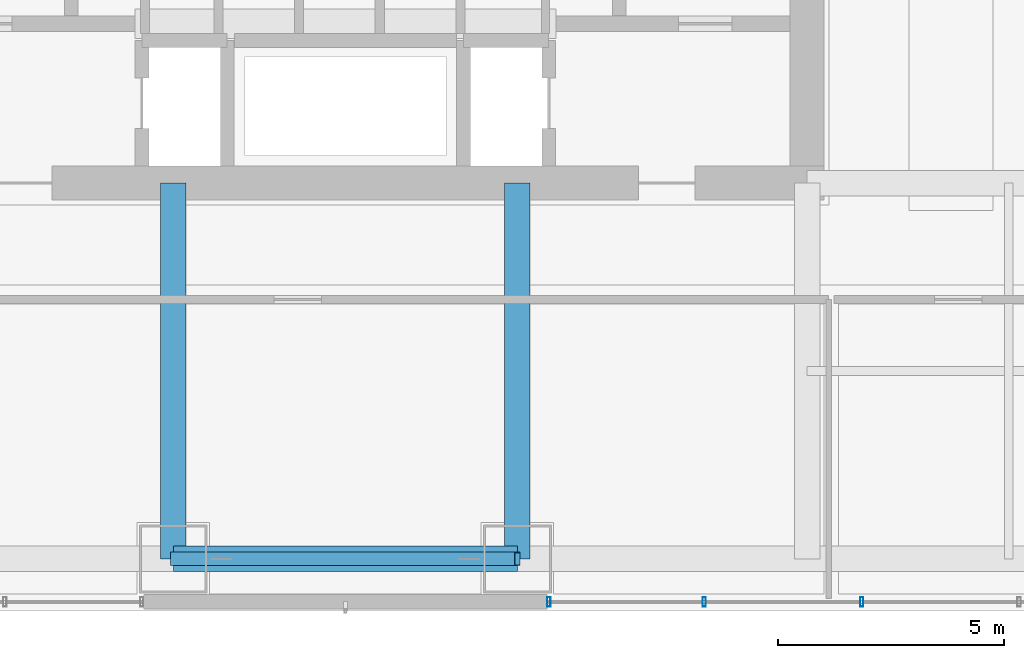
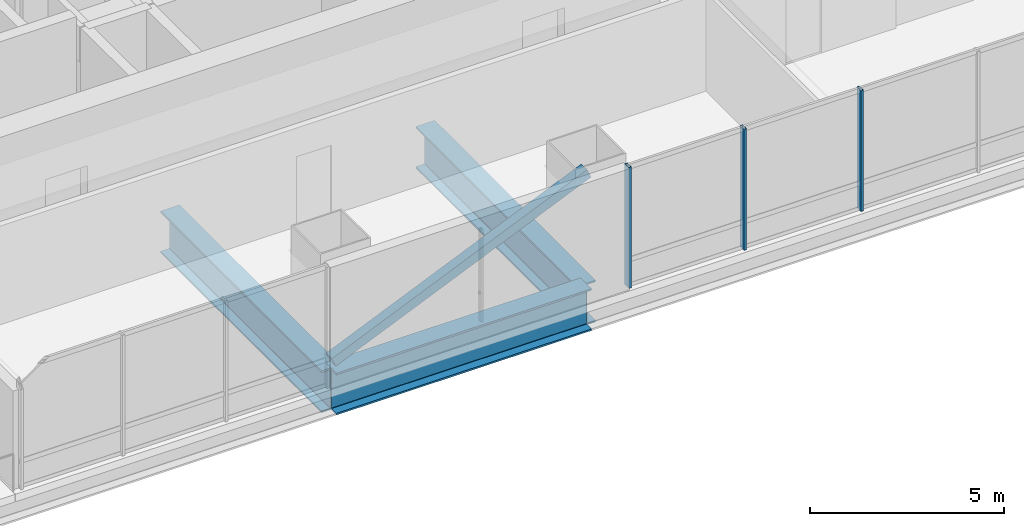
# One storey, part 5 of 37: 4 members, 3 beams, 1 element without a shape of its own.
"""IFC4 building model written with IfcOpenShell, lengths in metres."""

import ifcopenshell
import ifcopenshell.guid

model = None  # the IFC model being written
_history = None  # IfcOwnerHistory: only IFC2X3 demands one
_inside = {}  # id of a spatial element -> (the spatial element, [elements in it])
_under = {}  # id of a project, library or spatial element -> (it, [spatial elements below it])
_declared = {}  # id of a project -> (the project, [libraries it declares])
_typed = {}  # id of a type object -> (the type object, [elements of that type])
_made_of = {}  # id of a material, layer set ... -> (it, [elements and type objects made of it])


def new_model(schema):
    """Start an empty IFC model of exactly this schema.

    Asked for "IFC4X3", IfcOpenShell would pick the latest addendum, in which some entities
    have other attributes; the version numbers below select the first issue.
    IFC2X3 requires an IfcOwnerHistory on every rooted entity: one is made here for all.
    """
    global model, _history
    if schema == "IFC4X3":
        model = ifcopenshell.file(schema_version=(4, 3, 0, 0))
    else:
        model = ifcopenshell.file(schema=schema)
    _inside.clear()
    _under.clear()
    _declared.clear()
    _typed.clear()
    _made_of.clear()
    _history = None
    if model.schema == "IFC2X3":
        org = make("IfcOrganization", Name="unknown")
        user = make(
            "IfcPersonAndOrganization",
            ThePerson=make("IfcPerson", FamilyName="unknown"),
            TheOrganization=org,
        )
        app = make(
            "IfcApplication",
            ApplicationDeveloper=org,
            Version="unknown",
            ApplicationFullName="unknown",
            ApplicationIdentifier="unknown",
        )
        _history = make(
            "IfcOwnerHistory",
            OwningUser=user,
            OwningApplication=app,
            ChangeAction="ADDED",
            CreationDate=0,
        )
    return model


def make(cls, **values):
    """One entity of the class cls with the attributes given. An attribute that is None is left unset."""
    return model.create_entity(
        cls, **{name: value for name, value in values.items() if value is not None}
    )


def rooted(cls, **values):
    """An entity with a GlobalId (a new one), such as an element, a storey or a relation."""
    return make(cls, GlobalId=ifcopenshell.guid.new(), OwnerHistory=_history, **values)


def si_unit(unit_type, name, prefix=None):
    """IfcSIUnit, for example si_unit("LENGTHUNIT", "METRE", prefix="MILLI")."""
    return make("IfcSIUnit", UnitType=unit_type, Prefix=prefix, Name=name)


def assignment(units):
    """IfcUnitAssignment: the units of a project."""
    return None if units is None else make("IfcUnitAssignment", Units=units)


def point(xyz):
    """IfcCartesianPoint."""
    return None if xyz is None else make("IfcCartesianPoint", Coordinates=xyz)


def direction(xyz):
    """IfcDirection."""
    return None if xyz is None else make("IfcDirection", DirectionRatios=xyz)


def frame(location, z_axis=None, x_axis=None):
    """IfcAxis2Placement3D, a coordinate frame: its origin and axes. An axis left out is left unset."""
    return make(
        "IfcAxis2Placement3D",
        Location=point(location),
        Axis=direction(z_axis),
        RefDirection=direction(x_axis),
    )


def frame_2d(location, x_axis=None):
    """IfcAxis2Placement2D, a coordinate frame in the plane: its origin and x axis."""
    return make(
        "IfcAxis2Placement2D", Location=point(location), RefDirection=direction(x_axis)
    )


def origin():
    """The frame at (0, 0, 0) with its axes left unset."""
    return frame((0.0, 0.0, 0.0))


def origin_2d():
    """The frame at (0, 0) in the plane with its x axis left unset."""
    return frame_2d((0.0, 0.0))


def place(relative_to, where):
    """IfcLocalPlacement: puts the frame where relative to a parent placement (None: the world)."""
    return make(
        "IfcLocalPlacement", PlacementRelTo=relative_to, RelativePlacement=where
    )


def context(
    kind, dimensions, precision=None, world=None, true_north=None, identifier=None
):
    """IfcGeometricRepresentationContext, for example the 3D "Model" context."""
    return make(
        "IfcGeometricRepresentationContext",
        ContextIdentifier=identifier,
        ContextType=kind,
        CoordinateSpaceDimension=dimensions,
        Precision=precision,
        WorldCoordinateSystem=world,
        TrueNorth=true_north,
    )


def subcontext(parent, identifier, kind, view, scale=None):
    """IfcGeometricRepresentationSubContext, for example "Body" below "Model"."""
    return make(
        "IfcGeometricRepresentationSubContext",
        ContextIdentifier=identifier,
        ContextType=kind,
        ParentContext=parent,
        TargetScale=scale,
        TargetView=view,
    )


def project(units=None, contexts=None):
    """IfcProject with its units and contexts."""
    return rooted(
        "IfcProject",
        Name="project",
        RepresentationContexts=contexts,
        UnitsInContext=assignment(units),
    )


def spatial(cls, under=None, at=None, **own):
    """A site, building, storey or space (cls), placed at a placement, below another one or the project."""
    s = rooted(cls, ObjectPlacement=at, **own)
    if under is not None:
        _under.setdefault(under.id(), (under, []))[1].append(s)
    return s


def profile(cls, at=None, kind="AREA", **sizes):
    """A parametric profile (cls). Its sizes go by their IFC names, for example OverallWidth=200.0."""
    return make(cls, ProfileType=kind, Position=at, **sizes)


def hollow_rectangle(**sizes):
    """IfcRectangleHollowProfileDef."""
    return profile("IfcRectangleHollowProfileDef", **sizes)


def i_section(**sizes):
    """IfcIShapeProfileDef."""
    return profile("IfcIShapeProfileDef", **sizes)


def extrude(swept, where, along, depth):
    """IfcExtrudedAreaSolid: the profile swept, set in the frame where, extruded along a direction by depth."""
    return make(
        "IfcExtrudedAreaSolid",
        SweptArea=swept,
        Position=where,
        ExtrudedDirection=direction(along),
        Depth=depth,
    )


def shape(context_of_items, identifier, shape_type, items):
    """IfcShapeRepresentation: the items that make up one representation, for example the "Body"."""
    return make(
        "IfcShapeRepresentation",
        ContextOfItems=context_of_items,
        RepresentationIdentifier=identifier,
        RepresentationType=shape_type,
        Items=items,
    )


def material(Name=None, Category=None):
    """IfcMaterial."""
    return make("IfcMaterial", Name=Name, Category=Category)


def material_profile(
    of_material, cross_section, Name=None, Category=None, Priority=None
):
    """IfcMaterialProfile: a cross section and its material."""
    return make(
        "IfcMaterialProfile",
        Name=Name,
        Material=of_material,
        Profile=cross_section,
        Priority=Priority,
        Category=Category,
    )


def profile_set(profiles, Name=None, composite=None):
    """IfcMaterialProfileSet."""
    return make(
        "IfcMaterialProfileSet",
        Name=Name,
        MaterialProfiles=profiles,
        CompositeProfile=composite,
    )


def made_of(thing, what):
    """Note that an element or type object is made of a material, layer set ...; save() writes the relation."""
    if what is not None:
        _made_of.setdefault(what.id(), (what, []))[1].append(thing)
    return thing


def type_object(cls, material=None, **own):
    """A type object (cls), such as IfcWallType, which elements share."""
    return made_of(rooted(cls, **own), material)


def element(
    cls,
    number,
    at=None,
    inside=None,
    cuts=None,
    type_object=None,
    material=None,
    context=None,
    identifier="Body",
    shape_type=None,
    held_by="IfcProductDefinitionShape",
    body=None,
    shapes=None,
    **own,
):
    """One element of the class cls, such as IfcWall. Its Tag is "e" and its number.

    at: its placement. inside: the storey or other place that contains it. cuts: it is an
    opening in that element (IfcRelVoidsElement). A single representation is given by context,
    identifier, shape_type and body (its items); several are given by shapes. held_by: the class
    of the entity that holds the representations. save() writes the other relations.
    """
    e = rooted(cls, Tag="e%d" % number, ObjectPlacement=at, **own)
    if body is not None:
        shapes = [shape(context, identifier, shape_type, body)]
    if shapes is not None:
        e.Representation = make(held_by, Representations=shapes)
    if inside is not None:
        _inside.setdefault(inside.id(), (inside, []))[1].append(e)
    if cuts is not None:
        rooted(
            "IfcRelVoidsElement", RelatingBuildingElement=cuts, RelatedOpeningElement=e
        )
    if type_object is not None:
        _typed.setdefault(type_object.id(), (type_object, []))[1].append(e)
    return made_of(e, material)


def aggregate(whole, parts):
    """IfcRelAggregates: a whole, such as a stair, and the parts it consists of."""
    return rooted("IfcRelAggregates", RelatingObject=whole, RelatedObjects=parts)


def save(model, path):
    """Write the relations noted so far, then the file.

    IfcRelAggregates (storeys below a building ...), IfcRelContainedInSpatialStructure (elements
    in a storey), IfcRelDefinesByType, IfcRelAssociatesMaterial and IfcRelDeclares: one each for
    every whole, place, type object, material and project.
    """
    for whole, parts in _under.values():
        aggregate(whole, parts)
    for where, things in _inside.values():
        rooted(
            "IfcRelContainedInSpatialStructure",
            RelatedElements=things,
            RelatingStructure=where,
        )
    for kind, things in _typed.values():
        rooted("IfcRelDefinesByType", RelatedObjects=things, RelatingType=kind)
    for what, things in _made_of.values():
        rooted("IfcRelAssociatesMaterial", RelatedObjects=things, RelatingMaterial=what)
    for by, libraries in _declared.values():
        rooted("IfcRelDeclares", RelatingContext=by, RelatedDefinitions=libraries)
    model.write(path)


model = new_model("IFC4")

# Units and contexts
model_context = context("Model", 3, precision=1e-05, world=origin(), true_north=direction((0.0, 1.0)))
body_context = subcontext(model_context, "Body", "Model", "MODEL_VIEW")
ifc_project = project(units=[si_unit("LENGTHUNIT", "METRE"), si_unit("AREAUNIT", "SQUARE_METRE"), si_unit("VOLUMEUNIT", "CUBIC_METRE"), si_unit("PLANEANGLEUNIT", "RADIAN"), si_unit("MASSUNIT", "GRAM", prefix="KILO")], contexts=[model_context])

# Site, building, storey
site_placement = place(None, origin())
site = spatial("IfcSite", under=ifc_project, at=site_placement, CompositionType="ELEMENT")
building_placement = place(site_placement, origin())
building = spatial("IfcBuilding", under=site, at=building_placement, Name="Punatoya Terracotta Tower", CompositionType="ELEMENT")
storey_placement = place(building_placement, frame((0.0, 0.0, 109.199951171875)))
storey = spatial("IfcBuildingStorey", under=building, at=storey_placement, Name="L25", CompositionType="ELEMENT", Elevation=109.199951171875)

# Beams
ifc_material_1 = material(Name="Steel S460", Category="steel")
ifc_material_profile_1 = material_profile(ifc_material_1, i_section(OverallWidth=0.56005859375, OverallDepth=1.320068359375, WebThickness=0.035888671875, FlangeThickness=0.054931640625, FilletRadius=0.01806640625, at=origin_2d()))
ifc_profile_set_1 = profile_set([ifc_material_profile_1], Name="Steel S460")
beam_type = type_object("IfcBeamType", Name="BM-TG-BLK", PredefinedType="BEAM", material=ifc_profile_set_1)
beam_placement = place(storey_placement, frame((-3.800048828125, -17.5, -0.89990234375), z_axis=(1.0, 0.0, 0.0), x_axis=(0.0, 1.0, 0.0)))
element("IfcBeam", 1, at=beam_placement, inside=storey, type_object=beam_type, Name="BM-L25-RG-S2", PredefinedType="BEAM", context=body_context, shape_type="SweptSolid", body=[
    extrude(i_section(OverallWidth=0.56005859375, OverallDepth=1.320068359375, WebThickness=0.035888671875, FlangeThickness=0.054931640625, FilletRadius=0.01806640625, at=origin_2d()), origin(), (0.0, 0.0, 1.0), 7.60009765625),
])
for number, where, z_axis, x_axis, name in (
    (2, (-3.800048828125, -17.5, -0.89990234375), (0.0, 1.0, 0.0), (-1.0, 0.0, 0.0), "BM-L25-PR-S2"),
    (3, (3.800048828125, -17.5, -0.89990234375), (0.0, 1.0, 0.0), (-1.0, 0.0, 0.0), "BM-L25-PR-S3"),
):
    element("IfcBeam", number, at=place(storey_placement, frame(where, z_axis=z_axis, x_axis=x_axis)), inside=storey, type_object=beam_type, Name=name, PredefinedType="BEAM", context=body_context, shape_type="SweptSolid", body=[
        extrude(i_section(OverallWidth=0.56005859375, OverallDepth=1.320068359375, WebThickness=0.035888671875, FlangeThickness=0.054931640625, FilletRadius=0.01806640625, at=origin_2d()), origin(), (0.0, 0.0, 1.0), 8.300048828125),
    ])

# Curtain wall, members
ifc_material_2 = material(Name="Aluminium 6063-T6 + Double Low-E Glass", Category="aluminium")
curtain_wall_type = type_object("IfcCurtainWallType", Name="CW-M1", PredefinedType="NOTDEFINED", material=ifc_material_2)
curtain_wall_placement = place(storey_placement, origin())
curtain_wall = element("IfcCurtainWall", 4, at=curtain_wall_placement, inside=storey, type_object=curtain_wall_type, Name="L25 Curtain Wall CW-L25-S01-2", PredefinedType="NOTDEFINED")
ifc_material_3 = material(Name="Aluminium 6063-T6", Category="aluminium")
ifc_material_profile_2 = material_profile(ifc_material_3, hollow_rectangle(XDim=0.074951171875, YDim=0.2099609375, WallThickness=0.00439453125, at=origin_2d()))
ifc_profile_set_2 = profile_set([ifc_material_profile_2], Name="Aluminium 6063-T6")
member_type_1 = type_object("IfcMemberType", Name="CW-MUL-M1", PredefinedType="MULLION", material=ifc_profile_set_2)
member_1_placement = place(storey_placement, frame((4.4951171875, -18.449951171875, 0.0), z_axis=(0.0, 0.0, 1.0), x_axis=(1.0, 0.0, 0.0)))
member_1 = element("IfcMember", 5, at=member_1_placement, type_object=member_type_1, Name="CW-L25-S01-2 Mullion 00", PredefinedType="MULLION", context=body_context, shape_type="SweptSolid", body=[
    extrude(hollow_rectangle(XDim=0.074951171875, YDim=0.2099609375, WallThickness=0.00439453125, at=origin_2d()), origin(), (0.0, 0.0, 1.0), 3.81005859375),
])
member_2_placement = place(storey_placement, frame((7.927490234375, -18.449951171875, 0.0), z_axis=(0.0, 0.0, 1.0), x_axis=(1.0, 0.0, 0.0)))
member_2 = element("IfcMember", 6, at=member_2_placement, type_object=member_type_1, Name="CW-L25-S01-2 Mullion 01", PredefinedType="MULLION", context=body_context, shape_type="SweptSolid", body=[
    extrude(hollow_rectangle(XDim=0.074951171875, YDim=0.2099609375, WallThickness=0.00439453125, at=origin_2d()), origin(), (0.0, 0.0, 1.0), 3.81005859375),
])
member_3_placement = place(storey_placement, frame((11.40478515625, -18.449951171875, 0.0), z_axis=(0.0, 0.0, 1.0), x_axis=(1.0, 0.0, 0.0)))
member_3 = element("IfcMember", 7, at=member_3_placement, type_object=member_type_1, Name="CW-L25-S01-2 Mullion 02", PredefinedType="MULLION", context=body_context, shape_type="SweptSolid", body=[
    extrude(hollow_rectangle(XDim=0.074951171875, YDim=0.2099609375, WallThickness=0.00439453125, at=origin_2d()), origin(), (0.0, 0.0, 1.0), 3.81005859375),
])
aggregate(curtain_wall, [member_1, member_2, member_3])

# Member
ifc_material_4 = material(Name="Steel S355", Category="steel")
ifc_material_profile_3 = material_profile(ifc_material_4, hollow_rectangle(XDim=0.300048828125, YDim=0.300048828125, WallThickness=0.01611328125, at=origin_2d()))
ifc_profile_set_3 = profile_set([ifc_material_profile_3], Name="Steel S355")
member_type_2 = type_object("IfcMemberType", Name="MEM-WND-300", PredefinedType="BRACE", material=ifc_profile_set_3)
member_4_placement = place(storey_placement, frame((-3.800048828125, -17.5, 0.02001953125), z_axis=(0.917702547379, 0.0, 0.397268214856), x_axis=(0.0, 1.0, 0.0)))
element("IfcMember", 8, at=member_4_placement, inside=storey, type_object=member_type_2, Name="L25 Perimeter Wind Brace S2", PredefinedType="BRACE", context=body_context, shape_type="SweptSolid", body=[
    extrude(hollow_rectangle(XDim=0.300048828125, YDim=0.300048828125, WallThickness=0.01611328125, at=origin_2d()), origin(), (0.0, 0.0, 1.0), 8.28173828125),
])

save(model, "model.ifc")
